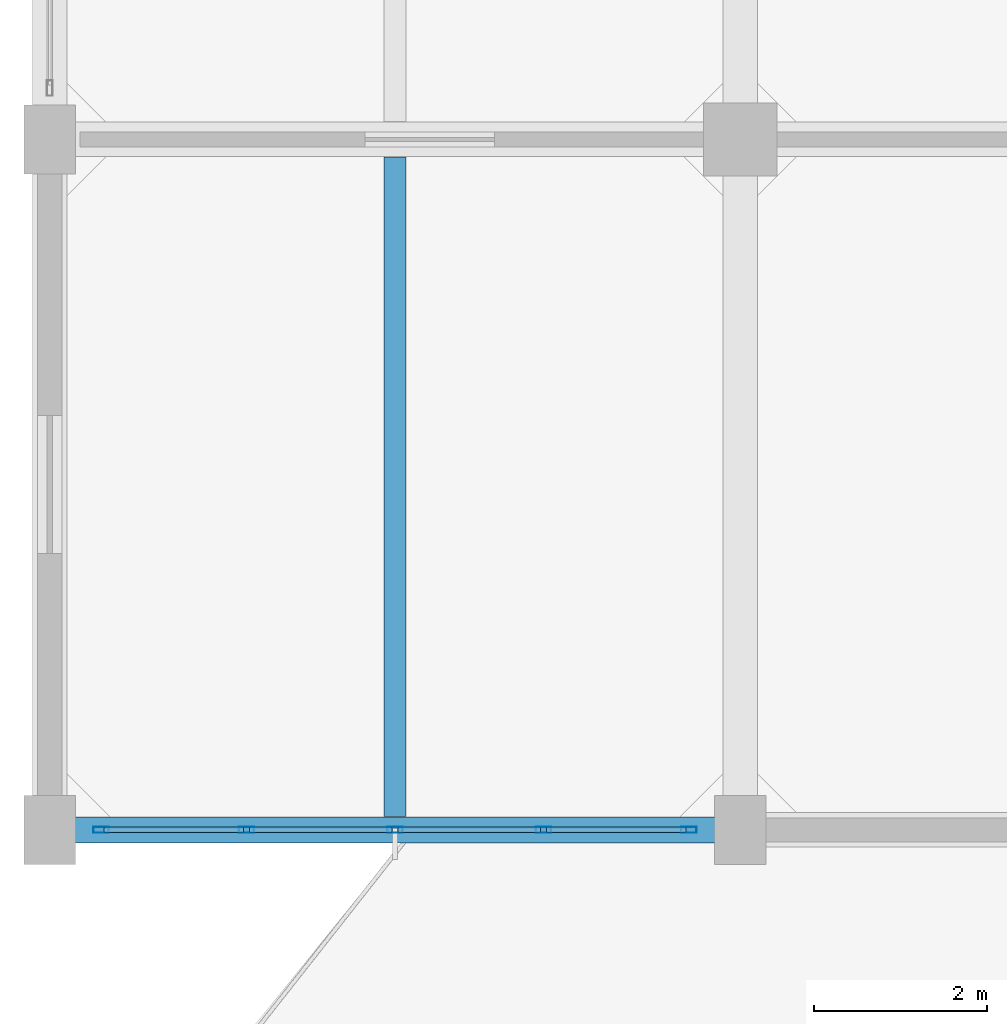
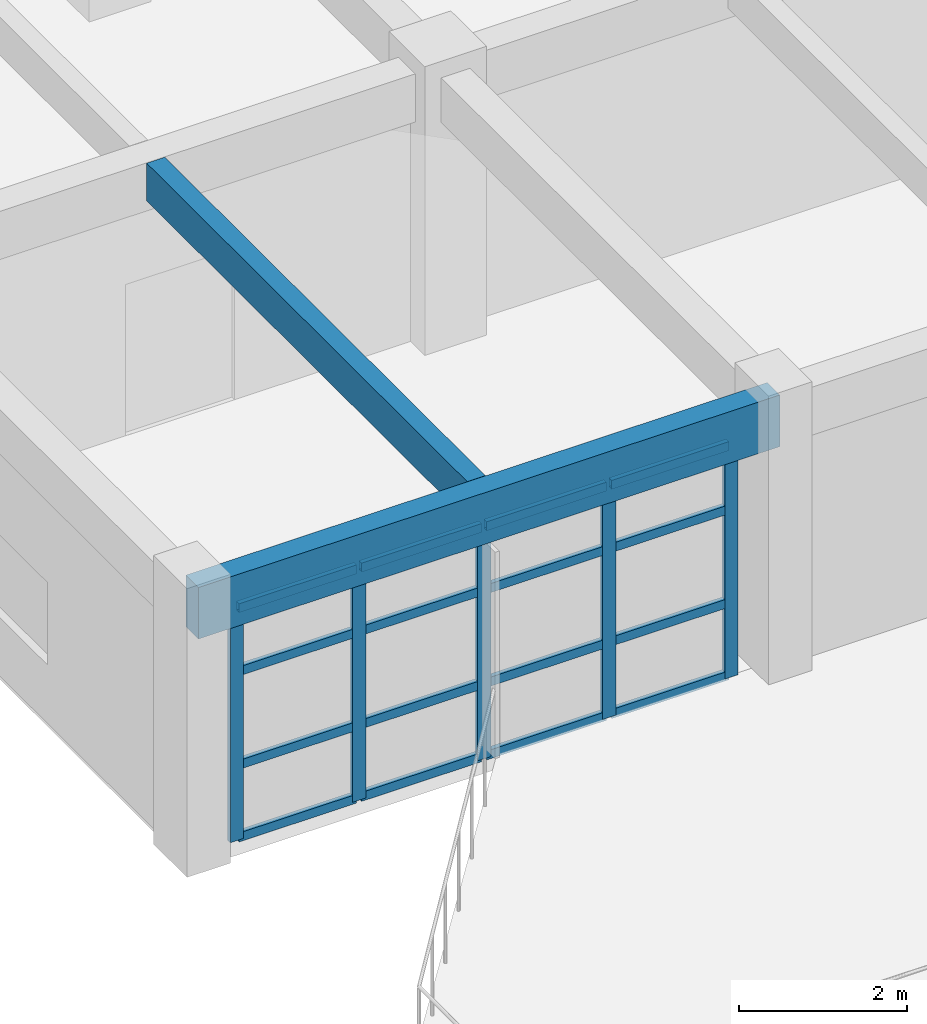
# One storey, part 2 of 30: 21 members, 2 beams, 1 element without a shape of its own.
"""IFC4 building model written with IfcOpenShell, lengths in metres."""

from ifc_helpers import new_model, si_unit, direction, frame, origin, origin_2d, place, context, subcontext, project, spatial, rectangle, hollow_rectangle, extrude, material, layer, layer_set, material_profile, profile_set, type_object, element, aggregate, save


model = new_model("IFC4")

# Units and contexts
model_context = context("Model", 3, precision=1e-05, world=origin(), true_north=direction((0.0, 1.0)))
body_context = subcontext(model_context, "Body", "Model", "MODEL_VIEW")
ifc_project = project(units=[si_unit("LENGTHUNIT", "METRE"), si_unit("AREAUNIT", "SQUARE_METRE"), si_unit("VOLUMEUNIT", "CUBIC_METRE"), si_unit("PLANEANGLEUNIT", "RADIAN"), si_unit("MASSUNIT", "GRAM", prefix="KILO")], contexts=[model_context])

# Site, building, storey
site_placement = place(None, origin())
site = spatial("IfcSite", under=ifc_project, at=site_placement, CompositionType="ELEMENT")
building_placement = place(site_placement, origin())
building = spatial("IfcBuilding", under=site, at=building_placement, Name="Canggui Botanical Conservatory", CompositionType="ELEMENT")
storey_placement = place(building_placement, frame((0.0, 0.0, 27.60009765625)))
storey = spatial("IfcBuildingStorey", under=building, at=storey_placement, Name="L07", CompositionType="ELEMENT", Elevation=27.60009765625)

# Beams
ifc_material_1 = material(Name="Concrete C35", Category="concrete")
ifc_material_profile_1 = material_profile(ifc_material_1, rectangle(XDim=0.25, YDim=0.550048828125, at=origin_2d()), Name="RB 250x550")
ifc_profile_set_1 = profile_set([ifc_material_profile_1], Name="Concrete C35")
beam_type_1 = type_object("IfcBeamType", Name="BM-JST03", PredefinedType="JOIST", material=ifc_profile_set_1)
beam_1_placement = place(storey_placement, frame((142.0, 34.155029296875, 3.684814453125), z_axis=(0.0, 1.0, 0.0), x_axis=(-1.0, 0.0, 0.0)))
element("IfcBeam", 1, at=beam_1_placement, inside=storey, type_object=beam_type_1, Name="Secondary Floor Joist L07-1-1", PredefinedType="JOIST", context=body_context, shape_type="SweptSolid", body=[
    extrude(rectangle(XDim=0.25, YDim=0.550048828125, at=origin_2d()), origin(), (0.0, 0.0, 1.0), 7.639892578125),
])
ifc_material_profile_2 = material_profile(ifc_material_1, rectangle(XDim=0.300048828125, YDim=0.75, at=origin_2d()), Name="RB 300x750")
ifc_profile_set_2 = profile_set([ifc_material_profile_2], Name="Concrete C35")
beam_type_2 = type_object("IfcBeamType", Name="BM-SPD01", PredefinedType="SPANDREL", material=ifc_profile_set_2)
beam_2_placement = place(storey_placement, frame((138.0, 34.0, 3.5849609375), z_axis=(1.0, 0.0, 0.0), x_axis=(0.0, 1.0, 0.0)))
element("IfcBeam", 2, at=beam_2_placement, inside=storey, type_object=beam_type_2, Name="Frame Girder L07 Y34-1", PredefinedType="SPANDREL", context=body_context, shape_type="SweptSolid", body=[
    extrude(rectangle(XDim=0.300048828125, YDim=0.75, at=origin_2d()), origin(), (0.0, 0.0, 1.0), 8.0),
])

# Curtain wall, members
ifc_material_2 = material(Name="Thermally Broken Aluminium", Category="aluminium")
ifc_layer = layer(ifc_material_2, 0.179931640625, Name="Thermally Broken Aluminium", Category="aluminium")
ifc_layer_set = layer_set([ifc_layer], Name="Thermally Broken Aluminium")
curtain_wall_type = type_object("IfcCurtainWallType", Name="CW-UNIT-A", PredefinedType="USERDEFINED", material=ifc_layer_set)
curtain_wall_placement = place(storey_placement, origin())
curtain_wall = element("IfcCurtainWall", 3, at=curtain_wall_placement, inside=storey, type_object=curtain_wall_type, Name="Facade Curtain Wall CW-TWR-L07-05", ObjectType="UNITISED CURTAIN WALL", PredefinedType="USERDEFINED")
ifc_material_profile_3 = material_profile(ifc_material_2, hollow_rectangle(XDim=0.070068359375, YDim=0.179931640625, WallThickness=0.00390625, at=origin_2d()), Name="CWM 70x180x4")
ifc_profile_set_3 = profile_set([ifc_material_profile_3], Name="Thermally Broken Aluminium")
member_type_1 = type_object("IfcMemberType", Name="CWM-01", PredefinedType="MULLION", material=ifc_profile_set_3)
member_1_placement = place(storey_placement, frame((145.405029296875, 34.0, 0.0), z_axis=(0.0, 0.0, 1.0), x_axis=(0.0, -1.0, 0.0)))
member_1 = element("IfcMember", 4, at=member_1_placement, type_object=member_type_1, Name="CW-01 mullion 1", PredefinedType="MULLION", context=body_context, shape_type="SweptSolid", body=[
    extrude(hollow_rectangle(XDim=0.070068359375, YDim=0.179931640625, WallThickness=0.00390625, at=origin_2d()), origin(), (0.0, 0.0, 1.0), 3.39990234375),
])
member_2_placement = place(storey_placement, frame((143.719970703125, 34.0, 0.0), z_axis=(0.0, 0.0, 1.0), x_axis=(0.0, -1.0, 0.0)))
member_2 = element("IfcMember", 5, at=member_2_placement, type_object=member_type_1, Name="CW-01 mullion 2", PredefinedType="MULLION", context=body_context, shape_type="SweptSolid", body=[
    extrude(hollow_rectangle(XDim=0.070068359375, YDim=0.179931640625, WallThickness=0.00390625, at=origin_2d()), origin(), (0.0, 0.0, 1.0), 3.39990234375),
])
member_3_placement = place(storey_placement, frame((142.0, 34.0, 0.0), z_axis=(0.0, 0.0, 1.0), x_axis=(0.0, -1.0, 0.0)))
member_3 = element("IfcMember", 6, at=member_3_placement, type_object=member_type_1, Name="CW-01 mullion 3", PredefinedType="MULLION", context=body_context, shape_type="SweptSolid", body=[
    extrude(hollow_rectangle(XDim=0.070068359375, YDim=0.179931640625, WallThickness=0.00390625, at=origin_2d()), origin(), (0.0, 0.0, 1.0), 3.39990234375),
])
member_4_placement = place(storey_placement, frame((140.280029296875, 34.0, 0.0), z_axis=(0.0, 0.0, 1.0), x_axis=(0.0, -1.0, 0.0)))
member_4 = element("IfcMember", 7, at=member_4_placement, type_object=member_type_1, Name="CW-01 mullion 4", PredefinedType="MULLION", context=body_context, shape_type="SweptSolid", body=[
    extrude(hollow_rectangle(XDim=0.070068359375, YDim=0.179931640625, WallThickness=0.00390625, at=origin_2d()), origin(), (0.0, 0.0, 1.0), 3.39990234375),
])
member_5_placement = place(storey_placement, frame((138.594970703125, 34.0, 0.0), z_axis=(0.0, 0.0, 1.0), x_axis=(0.0, -1.0, 0.0)))
member_5 = element("IfcMember", 8, at=member_5_placement, type_object=member_type_1, Name="CW-01 mullion 5", PredefinedType="MULLION", context=body_context, shape_type="SweptSolid", body=[
    extrude(hollow_rectangle(XDim=0.070068359375, YDim=0.179931640625, WallThickness=0.00390625, at=origin_2d()), origin(), (0.0, 0.0, 1.0), 3.39990234375),
])
ifc_material_profile_4 = material_profile(ifc_material_2, hollow_rectangle(XDim=0.06494140625, YDim=0.1298828125, WallThickness=0.00341796875, at=origin_2d()), Name="CWT 65x130x3.5")
ifc_profile_set_4 = profile_set([ifc_material_profile_4], Name="Thermally Broken Aluminium")
member_type_2 = type_object("IfcMemberType", Name="CWT-01", PredefinedType="USERDEFINED", material=ifc_profile_set_4)
member_6_placement = place(storey_placement, frame((145.3701171875, 34.0, 0.032470703125), z_axis=(-1.0, 0.0, 0.0), x_axis=(0.0, -1.0, 0.0)))
member_6 = element("IfcMember", 9, at=member_6_placement, type_object=member_type_2, Name="CW-01 transom 1.1", ObjectType="TRANSOM", PredefinedType="USERDEFINED", context=body_context, shape_type="SweptSolid", body=[
    extrude(hollow_rectangle(XDim=0.06494140625, YDim=0.1298828125, WallThickness=0.00341796875, at=origin_2d()), origin(), (0.0, 0.0, 1.0), 1.615234375),
])
member_7_placement = place(storey_placement, frame((145.3701171875, 34.0, 1.087890625), z_axis=(-1.0, 0.0, 0.0), x_axis=(0.0, -1.0, 0.0)))
member_7 = element("IfcMember", 10, at=member_7_placement, type_object=member_type_2, Name="CW-01 transom 1.2", ObjectType="TRANSOM", PredefinedType="USERDEFINED", context=body_context, shape_type="SweptSolid", body=[
    extrude(hollow_rectangle(XDim=0.06494140625, YDim=0.1298828125, WallThickness=0.00341796875, at=origin_2d()), origin(), (0.0, 0.0, 1.0), 1.615234375),
])
member_8_placement = place(storey_placement, frame((145.3701171875, 34.0, 2.447998046875), z_axis=(-1.0, 0.0, 0.0), x_axis=(0.0, -1.0, 0.0)))
member_8 = element("IfcMember", 11, at=member_8_placement, type_object=member_type_2, Name="CW-01 transom 1.3", ObjectType="TRANSOM", PredefinedType="USERDEFINED", context=body_context, shape_type="SweptSolid", body=[
    extrude(hollow_rectangle(XDim=0.06494140625, YDim=0.1298828125, WallThickness=0.00341796875, at=origin_2d()), origin(), (0.0, 0.0, 1.0), 1.615234375),
])
member_9_placement = place(storey_placement, frame((145.3701171875, 34.0, 3.367431640625), z_axis=(-1.0, 0.0, 0.0), x_axis=(0.0, -1.0, 0.0)))
member_9 = element("IfcMember", 12, at=member_9_placement, type_object=member_type_2, Name="CW-01 transom 1.4", ObjectType="TRANSOM", PredefinedType="USERDEFINED", context=body_context, shape_type="SweptSolid", body=[
    extrude(hollow_rectangle(XDim=0.06494140625, YDim=0.1298828125, WallThickness=0.00341796875, at=origin_2d()), origin(), (0.0, 0.0, 1.0), 1.615234375),
])
member_10_placement = place(storey_placement, frame((143.68505859375, 34.0, 0.032470703125), z_axis=(-1.0, 0.0, 0.0), x_axis=(0.0, -1.0, 0.0)))
member_10 = element("IfcMember", 13, at=member_10_placement, type_object=member_type_2, Name="CW-01 transom 2.1", ObjectType="TRANSOM", PredefinedType="USERDEFINED", context=body_context, shape_type="SweptSolid", body=[
    extrude(hollow_rectangle(XDim=0.06494140625, YDim=0.1298828125, WallThickness=0.00341796875, at=origin_2d()), origin(), (0.0, 0.0, 1.0), 1.650146484375),
])
member_11_placement = place(storey_placement, frame((143.68505859375, 34.0, 1.087890625), z_axis=(-1.0, 0.0, 0.0), x_axis=(0.0, -1.0, 0.0)))
member_11 = element("IfcMember", 14, at=member_11_placement, type_object=member_type_2, Name="CW-01 transom 2.2", ObjectType="TRANSOM", PredefinedType="USERDEFINED", context=body_context, shape_type="SweptSolid", body=[
    extrude(hollow_rectangle(XDim=0.06494140625, YDim=0.1298828125, WallThickness=0.00341796875, at=origin_2d()), origin(), (0.0, 0.0, 1.0), 1.650146484375),
])
member_12_placement = place(storey_placement, frame((143.68505859375, 34.0, 2.447998046875), z_axis=(-1.0, 0.0, 0.0), x_axis=(0.0, -1.0, 0.0)))
member_12 = element("IfcMember", 15, at=member_12_placement, type_object=member_type_2, Name="CW-01 transom 2.3", ObjectType="TRANSOM", PredefinedType="USERDEFINED", context=body_context, shape_type="SweptSolid", body=[
    extrude(hollow_rectangle(XDim=0.06494140625, YDim=0.1298828125, WallThickness=0.00341796875, at=origin_2d()), origin(), (0.0, 0.0, 1.0), 1.650146484375),
])
member_13_placement = place(storey_placement, frame((143.68505859375, 34.0, 3.367431640625), z_axis=(-1.0, 0.0, 0.0), x_axis=(0.0, -1.0, 0.0)))
member_13 = element("IfcMember", 16, at=member_13_placement, type_object=member_type_2, Name="CW-01 transom 2.4", ObjectType="TRANSOM", PredefinedType="USERDEFINED", context=body_context, shape_type="SweptSolid", body=[
    extrude(hollow_rectangle(XDim=0.06494140625, YDim=0.1298828125, WallThickness=0.00341796875, at=origin_2d()), origin(), (0.0, 0.0, 1.0), 1.650146484375),
])
member_14_placement = place(storey_placement, frame((141.965087890625, 34.0, 0.032470703125), z_axis=(-1.0, 0.0, 0.0), x_axis=(0.0, -1.0, 0.0)))
member_14 = element("IfcMember", 17, at=member_14_placement, type_object=member_type_2, Name="CW-01 transom 3.1", ObjectType="TRANSOM", PredefinedType="USERDEFINED", context=body_context, shape_type="SweptSolid", body=[
    extrude(hollow_rectangle(XDim=0.06494140625, YDim=0.1298828125, WallThickness=0.00341796875, at=origin_2d()), origin(), (0.0, 0.0, 1.0), 1.650146484375),
])
member_15_placement = place(storey_placement, frame((141.965087890625, 34.0, 1.087890625), z_axis=(-1.0, 0.0, 0.0), x_axis=(0.0, -1.0, 0.0)))
member_15 = element("IfcMember", 18, at=member_15_placement, type_object=member_type_2, Name="CW-01 transom 3.2", ObjectType="TRANSOM", PredefinedType="USERDEFINED", context=body_context, shape_type="SweptSolid", body=[
    extrude(hollow_rectangle(XDim=0.06494140625, YDim=0.1298828125, WallThickness=0.00341796875, at=origin_2d()), origin(), (0.0, 0.0, 1.0), 1.650146484375),
])
member_16_placement = place(storey_placement, frame((141.965087890625, 34.0, 2.447998046875), z_axis=(-1.0, 0.0, 0.0), x_axis=(0.0, -1.0, 0.0)))
member_16 = element("IfcMember", 19, at=member_16_placement, type_object=member_type_2, Name="CW-01 transom 3.3", ObjectType="TRANSOM", PredefinedType="USERDEFINED", context=body_context, shape_type="SweptSolid", body=[
    extrude(hollow_rectangle(XDim=0.06494140625, YDim=0.1298828125, WallThickness=0.00341796875, at=origin_2d()), origin(), (0.0, 0.0, 1.0), 1.650146484375),
])
member_17_placement = place(storey_placement, frame((141.965087890625, 34.0, 3.367431640625), z_axis=(-1.0, 0.0, 0.0), x_axis=(0.0, -1.0, 0.0)))
member_17 = element("IfcMember", 20, at=member_17_placement, type_object=member_type_2, Name="CW-01 transom 3.4", ObjectType="TRANSOM", PredefinedType="USERDEFINED", context=body_context, shape_type="SweptSolid", body=[
    extrude(hollow_rectangle(XDim=0.06494140625, YDim=0.1298828125, WallThickness=0.00341796875, at=origin_2d()), origin(), (0.0, 0.0, 1.0), 1.650146484375),
])
member_18_placement = place(storey_placement, frame((140.2451171875, 34.0, 0.032470703125), z_axis=(-1.0, 0.0, 0.0), x_axis=(0.0, -1.0, 0.0)))
member_18 = element("IfcMember", 21, at=member_18_placement, type_object=member_type_2, Name="CW-01 transom 4.1", ObjectType="TRANSOM", PredefinedType="USERDEFINED", context=body_context, shape_type="SweptSolid", body=[
    extrude(hollow_rectangle(XDim=0.06494140625, YDim=0.1298828125, WallThickness=0.00341796875, at=origin_2d()), origin(), (0.0, 0.0, 1.0), 1.615234375),
])
member_19_placement = place(storey_placement, frame((140.2451171875, 34.0, 1.087890625), z_axis=(-1.0, 0.0, 0.0), x_axis=(0.0, -1.0, 0.0)))
member_19 = element("IfcMember", 22, at=member_19_placement, type_object=member_type_2, Name="CW-01 transom 4.2", ObjectType="TRANSOM", PredefinedType="USERDEFINED", context=body_context, shape_type="SweptSolid", body=[
    extrude(hollow_rectangle(XDim=0.06494140625, YDim=0.1298828125, WallThickness=0.00341796875, at=origin_2d()), origin(), (0.0, 0.0, 1.0), 1.615234375),
])
member_20_placement = place(storey_placement, frame((140.2451171875, 34.0, 2.447998046875), z_axis=(-1.0, 0.0, 0.0), x_axis=(0.0, -1.0, 0.0)))
member_20 = element("IfcMember", 23, at=member_20_placement, type_object=member_type_2, Name="CW-01 transom 4.3", ObjectType="TRANSOM", PredefinedType="USERDEFINED", context=body_context, shape_type="SweptSolid", body=[
    extrude(hollow_rectangle(XDim=0.06494140625, YDim=0.1298828125, WallThickness=0.00341796875, at=origin_2d()), origin(), (0.0, 0.0, 1.0), 1.615234375),
])
member_21_placement = place(storey_placement, frame((140.2451171875, 34.0, 3.367431640625), z_axis=(-1.0, 0.0, 0.0), x_axis=(0.0, -1.0, 0.0)))
member_21 = element("IfcMember", 24, at=member_21_placement, type_object=member_type_2, Name="CW-01 transom 4.4", ObjectType="TRANSOM", PredefinedType="USERDEFINED", context=body_context, shape_type="SweptSolid", body=[
    extrude(hollow_rectangle(XDim=0.06494140625, YDim=0.1298828125, WallThickness=0.00341796875, at=origin_2d()), origin(), (0.0, 0.0, 1.0), 1.615234375),
])
aggregate(curtain_wall, [member_1, member_2, member_3, member_4, member_5, member_6, member_7, member_8, member_9, member_10, member_11, member_12, member_13, member_14, member_15, member_16, member_17, member_18, member_19, member_20, member_21])

save(model, "model.ifc")
